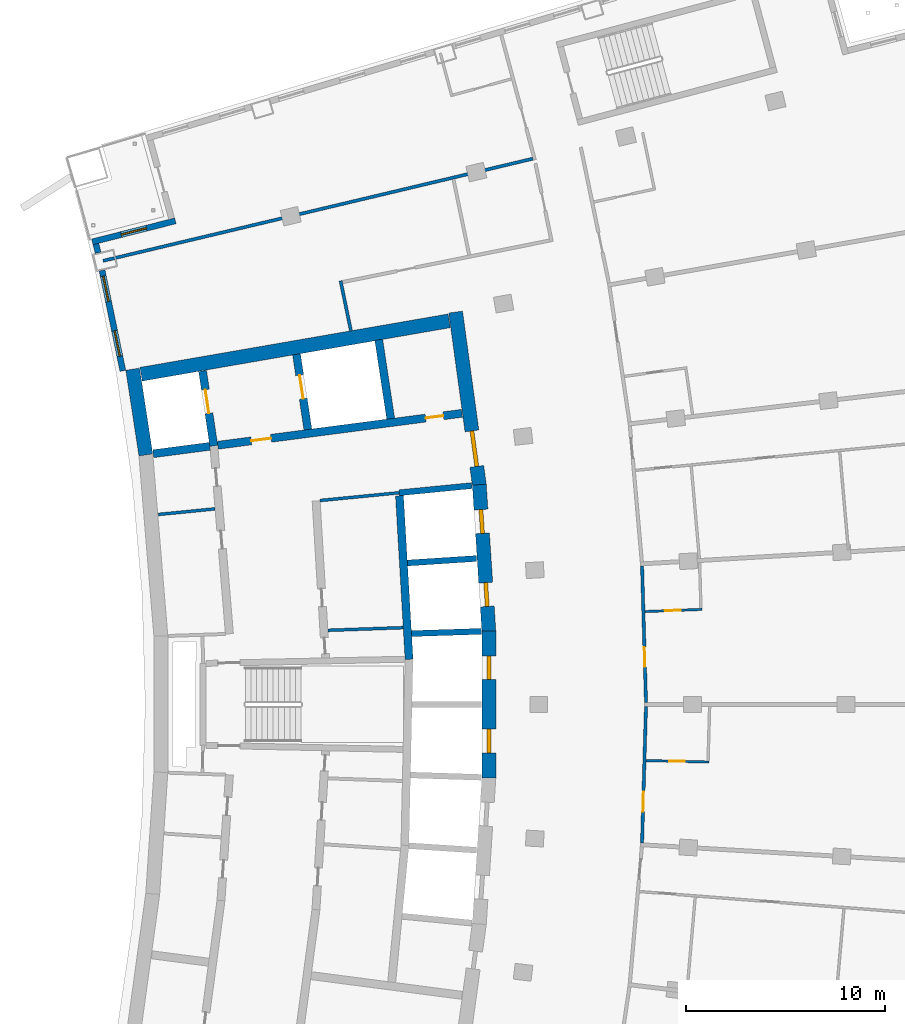
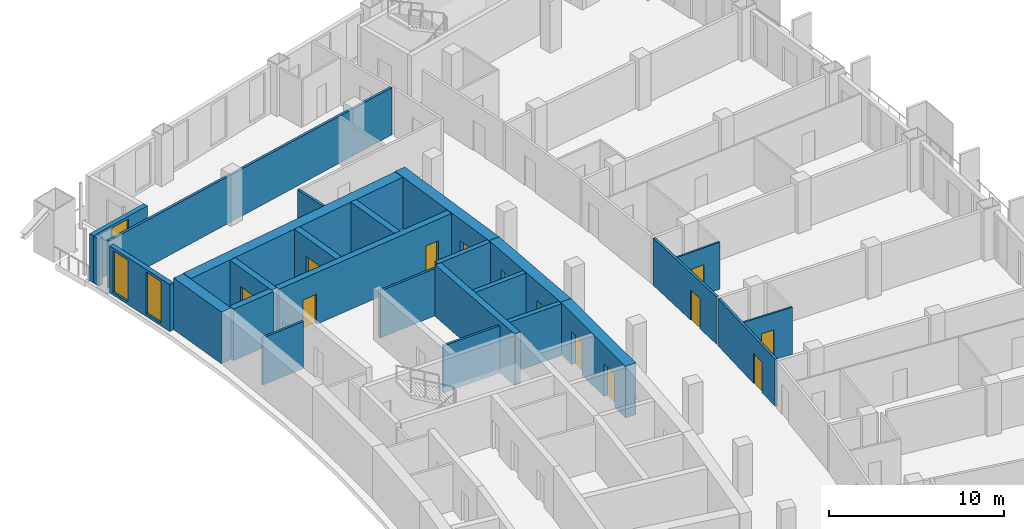
# One storey, part 13 of 19: 26 walls, 13 doors, 3 windows, 16 openings.
"""IFC4 building model written with IfcOpenShell, lengths in metres."""

from ifc_helpers import new_model, si_unit, direction, frame, frame_2d, origin, place, context, subcontext, project, spatial, rectangle, extrude, material, layer, layer_set, type_object, element, fill, save


model = new_model("IFC4")

# Units and contexts
model_context = context("Model", 3, precision=1e-05, world=origin(), true_north=direction((0.0, 1.0)))
body_context = subcontext(model_context, "Body", "Model", "MODEL_VIEW")
ifc_project = project(units=[si_unit("LENGTHUNIT", "METRE"), si_unit("AREAUNIT", "SQUARE_METRE"), si_unit("VOLUMEUNIT", "CUBIC_METRE"), si_unit("PLANEANGLEUNIT", "RADIAN"), si_unit("MASSUNIT", "GRAM", prefix="KILO")], contexts=[model_context])

# Site, building, storey
site_placement = place(None, origin())
site = spatial("IfcSite", under=ifc_project, at=site_placement, CompositionType="ELEMENT")
building_placement = place(site_placement, origin())
building = spatial("IfcBuilding", under=site, at=building_placement, Name="Alderwake Tower", CompositionType="ELEMENT")
storey_placement = place(building_placement, frame((0.0, 0.0, 174.800048828125)))
storey = spatial("IfcBuildingStorey", under=building, at=storey_placement, Name="L43", CompositionType="ELEMENT", Elevation=174.800048828125)

# Walls
ifc_material_1 = material(Name="Gypsum shaft wall system, rated")
ifc_layer_1 = layer(ifc_material_1, 0.14990234375)
ifc_layer_set_1 = layer_set([ifc_layer_1], Name="Core riser partition 150")
wall_type_1 = type_object("IfcWallType", Name="Core riser partition 150", PredefinedType="PARTITIONING", material=ifc_layer_set_1)
wall_1_placement = place(storey_placement, frame((25.191162109375, 64.723388671875, 0.0), z_axis=(0.0, 0.0, 1.0), x_axis=(0.999373627871, 0.035388584556, 0.0)))
element("IfcWall", 1, at=wall_1_placement, inside=storey, type_object=wall_type_1, Name="CW/L43/PR+37_+86", PredefinedType="PARTITIONING", context=body_context, shape_type="SweptSolid", body=[
    extrude(rectangle(XDim=3.79443359375, YDim=0.14990234375, at=frame_2d((1.897216796875, 0.0))), origin(), (0.0, 0.0, 1.0), 3.280029296875),
])
ifc_material_2 = material(Name="Gypsum shaft wall system, rated")
ifc_layer_2 = layer(ifc_material_2, 0.14990234375)
ifc_layer_set_2 = layer_set([ifc_layer_2], Name="Core room partition 150")
wall_type_2 = type_object("IfcWallType", Name="Core room partition 150", PredefinedType="PARTITIONING", material=ifc_layer_set_2)
wall_2_placement = place(storey_placement, frame((24.799560546875, 71.2548828125, 0.0), z_axis=(0.0, 0.0, 1.0), x_axis=(0.995250000627, 0.097352125046, 0.0)))
element("IfcWall", 2, at=wall_2_placement, inside=storey, type_object=wall_type_2, Name="CW/L43/PR+102_+86", PredefinedType="PARTITIONING", context=body_context, shape_type="SweptSolid", body=[
    extrude(rectangle(XDim=4.0, YDim=0.14990234375, at=frame_2d((2.0, 0.0))), origin(), (0.0, 0.0, 1.0), 3.280029296875),
])
wall_3_placement = place(storey_placement, frame((16.662841796875, 70.552001953125, 0.0), z_axis=(0.0, 0.0, 1.0), x_axis=(0.995157883569, 0.098289301407, 0.0)))
element("IfcWall", 3, at=wall_3_placement, inside=storey, type_object=wall_type_2, Name="CW/L43/PR+103_+0", PredefinedType="PARTITIONING", context=body_context, shape_type="SweptSolid", body=[
    extrude(rectangle(XDim=2.866455078125, YDim=0.14990234375, at=frame_2d((1.43310546875, 0.0))), origin(), (0.0, 0.0, 1.0), 3.280029296875),
])
ifc_material_3 = material(Name="Concrete C70/85", Category="concrete")
ifc_layer_3 = layer(ifc_material_3, 0.699951171875)
ifc_layer_set_3 = layer_set([ifc_layer_3], Name="Core wall outer 700 C70-85")
wall_type_3 = type_object("IfcWallType", Name="Core wall outer 700 C70-85", PredefinedType="SHEAR", material=ifc_layer_set_3)
wall_4_placement = place(storey_placement, frame((16.033935546875, 73.547607421875, 0.0), z_axis=(0.0, 0.0, 1.0), x_axis=(-0.151897483467, 0.988396253795, 0.0)))
element("IfcWall", 4, at=wall_4_placement, inside=storey, type_object=wall_type_3, Name="Core wall CW.039", PredefinedType="SHEAR", context=body_context, shape_type="SweptSolid", body=[
    extrude(rectangle(XDim=4.365234375, YDim=0.699951171875, at=frame_2d((2.1826171875, 0.0))), origin(), (0.0, 0.0, 1.0), 3.599853515625),
])

# Wall, openings, doors
wall_5_placement = place(storey_placement, frame((33.2900390625, 57.30322265625, 0.0), z_axis=(0.0, 0.0, 1.0), x_axis=(0.0, 1.0, 0.0)))
wall_5 = element("IfcWall", 5, at=wall_5_placement, inside=storey, type_object=wall_type_3, Name="Core wall CW.013", PredefinedType="SHEAR", context=body_context, shape_type="SweptSolid", body=[
    extrude(rectangle(XDim=7.3935546875, YDim=0.699951171875, at=frame_2d((3.69677734375, 0.0))), origin(), (0.0, 0.0, 1.0), 3.599853515625),
])
opening_1_placement = place(wall_5_placement, frame((1.254150390625, 0.0, 0.0)))
opening_1 = element("IfcOpeningElement", 6, at=opening_1_placement, cuts=wall_5, Name="Opening LD-HP3", PredefinedType="OPENING", context=body_context, shape_type="SweptSolid", body=[
    extrude(rectangle(XDim=1.199951171875, YDim=2.300048828125, at=frame_2d((0.60009765625, 1.14990234375))), frame((0.0, 0.35986328125, 0.0), z_axis=(0.0, -1.0, 0.0), x_axis=(1.0, 0.0, 0.0)), (0.0, 0.0, 1.0), 0.719970703125),
])
opening_2_placement = place(wall_5_placement, frame((4.939208984375, 0.0, 0.0)))
opening_2 = element("IfcOpeningElement", 7, at=opening_2_placement, cuts=wall_5, Name="Opening LD-HP4", PredefinedType="OPENING", context=body_context, shape_type="SweptSolid", body=[
    extrude(rectangle(XDim=1.199951171875, YDim=2.300048828125, at=frame_2d((0.60009765625, 1.14990234375))), frame((0.0, 0.35986328125, 0.0), z_axis=(0.0, -1.0, 0.0), x_axis=(1.0, 0.0, 0.0)), (0.0, 0.0, 1.0), 0.719970703125),
])
ifc_material_4 = material(Name="Stainless steel sliding leaf", Category="steel")
door_type_1 = type_object("IfcDoorType", Name="Lift landing door 1200", OperationType="SLIDING_TO_LEFT", PredefinedType="DOOR", material=ifc_material_4)
door_1_placement = place(opening_1_placement, origin())
door_1 = element("IfcDoor", 8, at=door_1_placement, inside=storey, type_object=door_type_1, Name="Lift landing door HP3", OperationType="SLIDING_TO_LEFT", OverallHeight=2.300048828125, OverallWidth=1.199951171875, PredefinedType="DOOR", context=body_context, shape_type="SweptSolid", body=[
    extrude(rectangle(XDim=1.199951171875, YDim=2.300048828125, at=frame_2d((0.60009765625, 1.14990234375))), frame((0.0, 0.10009765625, 0.0), z_axis=(0.0, -1.0, 0.0), x_axis=(1.0, 0.0, 0.0)), (0.0, 0.0, 1.0), 0.199951171875),
])
fill(opening_1, door_1)
door_2_placement = place(opening_2_placement, origin())
door_2 = element("IfcDoor", 9, at=door_2_placement, inside=storey, type_object=door_type_1, Name="Lift landing door HP4", OperationType="SLIDING_TO_LEFT", OverallHeight=2.300048828125, OverallWidth=1.199951171875, PredefinedType="DOOR", context=body_context, shape_type="SweptSolid", body=[
    extrude(rectangle(XDim=1.199951171875, YDim=2.300048828125, at=frame_2d((0.60009765625, 1.14990234375))), frame((0.0, 0.10009765625, 0.0), z_axis=(0.0, -1.0, 0.0), x_axis=(1.0, 0.0, 0.0)), (0.0, 0.0, 1.0), 0.199951171875),
])
fill(opening_2, door_2)

wall_6_placement = place(storey_placement, frame((33.291015625, 64.6728515625, 0.0), z_axis=(0.0, 0.0, 1.0), x_axis=(-0.065009096017, 0.99788467141, 0.0)))
wall_6 = element("IfcWall", 10, at=wall_6_placement, inside=storey, type_object=wall_type_3, Name="Core wall CW.010", PredefinedType="SHEAR", context=body_context, shape_type="SweptSolid", body=[
    extrude(rectangle(XDim=7.39453125, YDim=0.699951171875, at=frame_2d((3.697265625, 0.0))), origin(), (0.0, 0.0, 1.0), 3.599853515625),
])
opening_3_placement = place(wall_6_placement, frame((1.25390625, 0.0, 0.0)))
opening_3 = element("IfcOpeningElement", 11, at=opening_3_placement, cuts=wall_6, Name="Opening LD-HP5", PredefinedType="OPENING", context=body_context, shape_type="SweptSolid", body=[
    extrude(rectangle(XDim=1.199951171875, YDim=2.300048828125, at=frame_2d((0.60009765625, 1.14990234375))), frame((0.0, 0.35986328125, 0.0), z_axis=(0.0, -1.0, 0.0), x_axis=(1.0, 0.0, 0.0)), (0.0, 0.0, 1.0), 0.719970703125),
])
opening_4_placement = place(wall_6_placement, frame((4.939208984375, 0.0, 0.0)))
opening_4 = element("IfcOpeningElement", 12, at=opening_4_placement, cuts=wall_6, Name="Opening LD-HP6", PredefinedType="OPENING", context=body_context, shape_type="SweptSolid", body=[
    extrude(rectangle(XDim=1.199951171875, YDim=2.300048828125, at=frame_2d((0.60009765625, 1.14990234375))), frame((0.0, 0.35986328125, 0.0), z_axis=(0.0, -1.0, 0.0), x_axis=(1.0, 0.0, 0.0)), (0.0, 0.0, 1.0), 0.719970703125),
])
door_3_placement = place(opening_3_placement, origin())
door_3 = element("IfcDoor", 13, at=door_3_placement, inside=storey, type_object=door_type_1, Name="Lift landing door HP5", OperationType="SLIDING_TO_LEFT", OverallHeight=2.300048828125, OverallWidth=1.199951171875, PredefinedType="DOOR", context=body_context, shape_type="SweptSolid", body=[
    extrude(rectangle(XDim=1.199951171875, YDim=2.300048828125, at=frame_2d((0.60009765625, 1.14990234375))), frame((0.0, 0.10009765625, 0.0), z_axis=(0.0, -1.0, 0.0), x_axis=(1.0, 0.0, 0.0)), (0.0, 0.0, 1.0), 0.199951171875),
])
fill(opening_3, door_3)
door_4_placement = place(opening_4_placement, origin())
door_4 = element("IfcDoor", 14, at=door_4_placement, inside=storey, type_object=door_type_1, Name="Lift landing door HP6", OperationType="SLIDING_TO_LEFT", OverallHeight=2.300048828125, OverallWidth=1.199951171875, PredefinedType="DOOR", context=body_context, shape_type="SweptSolid", body=[
    extrude(rectangle(XDim=1.199951171875, YDim=2.300048828125, at=frame_2d((0.60009765625, 1.14990234375))), frame((0.0, 0.10009765625, 0.0), z_axis=(0.0, -1.0, 0.0), x_axis=(1.0, 0.0, 0.0)), (0.0, 0.0, 1.0), 0.199951171875),
])
fill(opening_4, door_4)

# Wall, opening, door
wall_7_placement = place(storey_placement, frame((31.618896484375, 80.735107421875, 0.0), z_axis=(0.0, 0.0, 1.0), x_axis=(0.135835706655, -0.99073137671, 0.0)))
wall_7 = element("IfcWall", 15, at=wall_7_placement, inside=storey, type_object=wall_type_3, Name="Core wall CW.009", PredefinedType="SHEAR", context=body_context, shape_type="SweptSolid", body=[
    extrude(rectangle(XDim=8.790771484375, YDim=0.699951171875, at=frame_2d((4.3955078125, 0.0))), origin(), (0.0, 0.0, 1.0), 3.599853515625),
])
opening_5_placement = place(wall_7_placement, frame((6.035888671875, 0.0, 0.0)))
opening_5 = element("IfcOpeningElement", 16, at=opening_5_placement, cuts=wall_7, Name="Opening C001", PredefinedType="OPENING", context=body_context, shape_type="SweptSolid", body=[
    extrude(rectangle(XDim=1.800048828125, YDim=2.10009765625, at=frame_2d((0.89990234375, 1.050048828125))), frame((0.0, 0.35986328125, 0.0), z_axis=(0.0, -1.0, 0.0), x_axis=(1.0, 0.0, 0.0)), (0.0, 0.0, 1.0), 0.719970703125),
])
ifc_material_5 = material(Name="Steel-framed fire door leaves", Category="steel")
door_type_2 = type_object("IfcDoorType", Name="Core double door 1800 fire-rated", OperationType="DOUBLE_DOOR_SINGLE_SWING", PredefinedType="DOOR", material=ifc_material_5)
door_5_placement = place(opening_5_placement, origin())
door_5 = element("IfcDoor", 17, at=door_5_placement, inside=storey, type_object=door_type_2, Name="Lobby double door", OperationType="DOUBLE_DOOR_SINGLE_SWING", OverallHeight=2.10009765625, OverallWidth=1.800048828125, PredefinedType="DOOR", context=body_context, shape_type="SweptSolid", body=[
    extrude(rectangle(XDim=1.800048828125, YDim=2.10009765625, at=frame_2d((0.89990234375, 1.050048828125))), frame((0.0, 0.10009765625, 0.0), z_axis=(0.0, -1.0, 0.0), x_axis=(1.0, 0.0, 0.0)), (0.0, 0.0, 1.0), 0.199951171875),
])
fill(opening_5, door_5)

# Walls
wall_8_placement = place(storey_placement, frame((15.79443359375, 77.606689453125, 0.0), z_axis=(0.0, 0.0, 1.0), x_axis=(0.985301369349, 0.170825090542, 0.0)))
element("IfcWall", 18, at=wall_8_placement, inside=storey, type_object=wall_type_3, Name="Core wall CW.055", PredefinedType="SHEAR", context=body_context, shape_type="SweptSolid", body=[
    extrude(rectangle(XDim=15.732421875, YDim=0.699951171875, at=frame_2d((7.8662109375, 0.0))), origin(), (0.0, 0.0, 1.0), 3.599853515625),
])
ifc_material_6 = material(Name="Concrete C70/85", Category="concrete")
ifc_layer_4 = layer(ifc_material_6, 0.300048828125)
ifc_layer_set_4 = layer_set([ifc_layer_4], Name="Core wall shaft 300 C70-85")
wall_type_4 = type_object("IfcWallType", Name="Core wall shaft 300 C70-85", PredefinedType="SHEAR", material=ifc_layer_set_4)
wall_9_placement = place(storey_placement, frame((29.401611328125, 64.558349609375, 0.0), z_axis=(0.0, 0.0, 1.0), x_axis=(0.999472422829, 0.032478854739, 0.0)))
element("IfcWall", 19, at=wall_9_placement, inside=storey, type_object=wall_type_4, Name="Core wall CW.058", PredefinedType="SHEAR", context=body_context, shape_type="SweptSolid", body=[
    extrude(rectangle(XDim=3.510498046875, YDim=0.300048828125, at=frame_2d((1.75537109375, 0.0))), origin(), (0.0, 0.0, 1.0), 3.599853515625),
])
wall_10_placement = place(storey_placement, frame((29.193603515625, 68.110595703125, 0.0), z_axis=(0.0, 0.0, 1.0), x_axis=(0.997884751549, 0.065007865878, 0.0)))
element("IfcWall", 20, at=wall_10_placement, inside=storey, type_object=wall_type_4, Name="Core wall CW.061", PredefinedType="SHEAR", context=body_context, shape_type="SweptSolid", body=[
    extrude(rectangle(XDim=3.485107421875, YDim=0.300048828125, at=frame_2d((1.74267578125, 0.0))), origin(), (0.0, 0.0, 1.0), 3.599853515625),
])
wall_11_placement = place(storey_placement, frame((28.780517578125, 71.644287109375, 0.0), z_axis=(0.0, 0.0, 1.0), x_axis=(0.995245736737, 0.097395705788, 0.0)))
element("IfcWall", 21, at=wall_11_placement, inside=storey, type_object=wall_type_4, Name="Core wall CW.049", PredefinedType="SHEAR", context=body_context, shape_type="SweptSolid", body=[
    extrude(rectangle(XDim=3.669677734375, YDim=0.300048828125, at=frame_2d((1.8349609375, 0.0))), origin(), (0.0, 0.0, 1.0), 3.599853515625),
])

# Wall, opening, door
ifc_material_7 = material(Name="Concrete C70/85", Category="concrete")
ifc_layer_5 = layer(ifc_material_7, 0.39990234375)
ifc_layer_set_5 = layer_set([ifc_layer_5], Name="Core wall spine 400 C70-85")
wall_type_5 = type_object("IfcWallType", Name="Core wall spine 400 C70-85", PredefinedType="SHEAR", material=ifc_layer_set_5)
wall_12_placement = place(storey_placement, frame((19.4541015625, 74.000732421875, 0.0), z_axis=(0.0, 0.0, 1.0), x_axis=(-0.148540738889, 0.988906289236, 0.0)))
wall_12 = element("IfcWall", 22, at=wall_12_placement, inside=storey, type_object=wall_type_5, Name="Core wall CW.030", PredefinedType="SHEAR", context=body_context, shape_type="SweptSolid", body=[
    extrude(rectangle(XDim=3.814697265625, YDim=0.39990234375, at=frame_2d((1.9072265625, 0.0))), origin(), (0.0, 0.0, 1.0), 3.599853515625),
])
opening_6_placement = place(wall_12_placement, frame((1.660888671875, 0.0, 0.0)))
opening_6 = element("IfcOpeningElement", 23, at=opening_6_placement, cuts=wall_12, Name="Opening LD-FF1", PredefinedType="OPENING", context=body_context, shape_type="SweptSolid", body=[
    extrude(rectangle(XDim=1.199951171875, YDim=2.300048828125, at=frame_2d((0.60009765625, 1.14990234375))), frame((0.0, 0.2099609375, 0.0), z_axis=(0.0, -1.0, 0.0), x_axis=(1.0, 0.0, 0.0)), (0.0, 0.0, 1.0), 0.419921875),
])
door_6_placement = place(opening_6_placement, origin())
door_6 = element("IfcDoor", 24, at=door_6_placement, inside=storey, type_object=door_type_1, Name="Lift landing door FF1", OperationType="SLIDING_TO_LEFT", OverallHeight=2.300048828125, OverallWidth=1.199951171875, PredefinedType="DOOR", context=body_context, shape_type="SweptSolid", body=[
    extrude(rectangle(XDim=1.199951171875, YDim=2.300048828125, at=frame_2d((0.60009765625, 1.14990234375))), frame((0.0, 0.02490234375, 0.0), z_axis=(0.0, -1.0, 0.0), x_axis=(1.0, 0.0, 0.0)), (0.0, 0.0, 1.0), 0.050048828125),
])
fill(opening_6, door_6)

wall_13_placement = place(storey_placement, frame((24.186279296875, 74.82861328125, 0.0), z_axis=(0.0, 0.0, 1.0), x_axis=(-0.149604879253, 0.988745862243, 0.0)))
wall_13 = element("IfcWall", 25, at=wall_13_placement, inside=storey, type_object=wall_type_5, Name="Core wall CW.044", PredefinedType="SHEAR", context=body_context, shape_type="SweptSolid", body=[
    extrude(rectangle(XDim=3.823486328125, YDim=0.39990234375, at=frame_2d((1.91162109375, 0.0))), origin(), (0.0, 0.0, 1.0), 3.599853515625),
])
opening_7_placement = place(wall_13_placement, frame((1.561767578125, 0.0, 0.0)))
opening_7 = element("IfcOpeningElement", 26, at=opening_7_placement, cuts=wall_13, Name="Opening LD-FF2", PredefinedType="OPENING", context=body_context, shape_type="SweptSolid", body=[
    extrude(rectangle(XDim=1.199951171875, YDim=2.300048828125, at=frame_2d((0.60009765625, 1.14990234375))), frame((0.0, 0.2099609375, 0.0), z_axis=(0.0, -1.0, 0.0), x_axis=(1.0, 0.0, 0.0)), (0.0, 0.0, 1.0), 0.419921875),
])
door_7_placement = place(opening_7_placement, origin())
door_7 = element("IfcDoor", 27, at=door_7_placement, inside=storey, type_object=door_type_1, Name="Lift landing door FF2", OperationType="SLIDING_TO_LEFT", OverallHeight=2.300048828125, OverallWidth=1.199951171875, PredefinedType="DOOR", context=body_context, shape_type="SweptSolid", body=[
    extrude(rectangle(XDim=1.199951171875, YDim=2.300048828125, at=frame_2d((0.60009765625, 1.14990234375))), frame((0.0, 0.02490234375, 0.0), z_axis=(0.0, -1.0, 0.0), x_axis=(1.0, 0.0, 0.0)), (0.0, 0.0, 1.0), 0.050048828125),
])
fill(opening_7, door_7)

# Walls
wall_14_placement = place(storey_placement, frame((29.27685546875, 63.2646484375, 0.0), z_axis=(0.0, 0.0, 1.0), x_axis=(-0.0584546922, 0.998290062537, 0.0)))
element("IfcWall", 28, at=wall_14_placement, inside=storey, type_object=wall_type_5, Name="Core wall CW.002", PredefinedType="SHEAR", context=body_context, shape_type="SweptSolid", body=[
    extrude(rectangle(XDim=8.24462890625, YDim=0.39990234375, at=frame_2d((4.122314453125, 0.0))), origin(), (0.0, 0.0, 1.0), 3.599853515625),
])
wall_15_placement = place(storey_placement, frame((28.350830078125, 75.373291015625, 0.0), z_axis=(0.0, 0.0, 1.0), x_axis=(-0.149688214264, 0.988733249421, 0.0)))
element("IfcWall", 29, at=wall_15_placement, inside=storey, type_object=wall_type_5, Name="Core wall CW.001", PredefinedType="SHEAR", context=body_context, shape_type="SweptSolid", body=[
    extrude(rectangle(XDim=4.01220703125, YDim=0.39990234375, at=frame_2d((2.006103515625, 0.0))), origin(), (0.0, 0.0, 1.0), 3.599853515625),
])
wall_16_placement = place(storey_placement, frame((16.4091796875, 73.609619140625, 0.0), z_axis=(0.0, 0.0, 1.0), x_axis=(0.991557657486, 0.129666541102, 0.0)))
element("IfcWall", 30, at=wall_16_placement, inside=storey, type_object=wall_type_5, Name="Core wall CW.051", PredefinedType="SHEAR", context=body_context, shape_type="SweptSolid", body=[
    extrude(rectangle(XDim=2.869384765625, YDim=0.39990234375, at=frame_2d((1.4345703125, 0.0))), origin(), (0.0, 0.0, 1.0), 3.599853515625),
])

# Wall, openings, doors
wall_17_placement = place(storey_placement, frame((31.933837890625, 75.64013671875, 0.0), z_axis=(0.0, 0.0, 1.0), x_axis=(-0.991554628634, -0.129689700573, 0.0)))
wall_17 = element("IfcWall", 31, at=wall_17_placement, inside=storey, type_object=wall_type_5, Name="Core wall CW.052", PredefinedType="SHEAR", context=body_context, shape_type="SweptSolid", body=[
    extrude(rectangle(XDim=12.38671875, YDim=0.39990234375, at=frame_2d((6.193359375, 0.0))), origin(), (0.0, 0.0, 1.0), 3.599853515625),
])
opening_8_placement = place(wall_17_placement, frame((9.687255859375, 0.0, 0.0)))
opening_8 = element("IfcOpeningElement", 32, at=opening_8_placement, cuts=wall_17, Name="Opening C002", PredefinedType="OPENING", context=body_context, shape_type="SweptSolid", body=[
    extrude(rectangle(XDim=1.0, YDim=2.10009765625, at=frame_2d((0.5, 1.050048828125))), frame((0.0, 0.2099609375, 0.0), z_axis=(0.0, -1.0, 0.0), x_axis=(1.0, 0.0, 0.0)), (0.0, 0.0, 1.0), 0.419921875),
])
opening_9_placement = place(wall_17_placement, frame((0.937255859375, 0.0, 0.0)))
opening_9 = element("IfcOpeningElement", 33, at=opening_9_placement, cuts=wall_17, Name="Opening C020", PredefinedType="OPENING", context=body_context, shape_type="SweptSolid", body=[
    extrude(rectangle(XDim=0.89990234375, YDim=2.10009765625, at=frame_2d((0.449951171875, 1.050048828125))), frame((0.0, 0.2099609375, 0.0), z_axis=(0.0, -1.0, 0.0), x_axis=(1.0, 0.0, 0.0)), (0.0, 0.0, 1.0), 0.419921875),
])
ifc_material_8 = material(Name="Painted steel leaf", Category="steel")
door_type_3 = type_object("IfcDoorType", Name="Core room door 900", OperationType="SINGLE_SWING_LEFT", PredefinedType="DOOR", material=ifc_material_8)
door_8_placement = place(opening_9_placement, origin())
door_8 = element("IfcDoor", 34, at=door_8_placement, inside=storey, type_object=door_type_3, Name="Room door", OperationType="SINGLE_SWING_LEFT", OverallHeight=2.10009765625, OverallWidth=0.89990234375, PredefinedType="DOOR", context=body_context, shape_type="SweptSolid", body=[
    extrude(rectangle(XDim=0.89990234375, YDim=2.10009765625, at=frame_2d((0.449951171875, 1.050048828125))), frame((0.0, 0.02490234375, 0.0), z_axis=(0.0, -1.0, 0.0), x_axis=(1.0, 0.0, 0.0)), (0.0, 0.0, 1.0), 0.050048828125),
])
fill(opening_9, door_8)
ifc_material_9 = material(Name="Steel-framed fire door leaf", Category="steel")
door_type_4 = type_object("IfcDoorType", Name="Firefighting lobby door 1000 fire-rated", OperationType="SINGLE_SWING_LEFT", PredefinedType="DOOR", material=ifc_material_9)
door_9_placement = place(opening_8_placement, origin())
door_9 = element("IfcDoor", 35, at=door_9_placement, inside=storey, type_object=door_type_4, Name="Firefighting lobby door", OperationType="SINGLE_SWING_RIGHT", OverallHeight=2.10009765625, OverallWidth=1.0, PredefinedType="DOOR", context=body_context, shape_type="SweptSolid", body=[
    extrude(rectangle(XDim=1.0, YDim=2.10009765625, at=frame_2d((0.5, 1.050048828125))), frame((0.0, 0.02490234375, 0.0), z_axis=(0.0, -1.0, 0.0), x_axis=(1.0, 0.0, 0.0)), (0.0, 0.0, 1.0), 0.050048828125),
])
fill(opening_8, door_9)

# Walls
ifc_material_10 = material(Name="Gypsum board on metal studs, rated")
ifc_layer_6 = layer(ifc_material_10, 0.159912109375)
ifc_layer_set_6 = layer_set([ifc_layer_6], Name="Corridor wall 160")
wall_type_6 = type_object("IfcWallType", Name="Corridor wall 160", PredefinedType="PARTITIONING", material=ifc_layer_set_6)
wall_18_placement = place(storey_placement, frame((25.831787109375, 82.305419921875, 0.0), z_axis=(0.0, 0.0, 1.0), x_axis=(0.202450797205, -0.979292435747, 0.0)))
element("IfcWall", 36, at=wall_18_placement, inside=storey, type_object=wall_type_6, Name="WL/L43/W16", PredefinedType="PARTITIONING", context=body_context, shape_type="SweptSolid", body=[
    extrude(rectangle(XDim=2.555419921875, YDim=0.159912109375, at=frame_2d((1.27783203125, 0.0))), origin(), (0.0, 0.0, 1.0), 3.280029296875),
])
wall_19_placement = place(storey_placement, frame((35.502197265625, 88.451416015625, 0.0), z_axis=(0.0, 0.0, 1.0), x_axis=(-0.972894913244, -0.231247676278, 0.0)))
element("IfcWall", 37, at=wall_19_placement, inside=storey, type_object=wall_type_6, Name="WL/L43/W21", PredefinedType="PARTITIONING", context=body_context, shape_type="SweptSolid", body=[
    extrude(rectangle(XDim=22.220458984375, YDim=0.159912109375, at=frame_2d((11.1103515625, 0.0))), origin(), (0.0, 0.0, 1.0), 3.280029296875),
])

# Wall, opening, door
wall_20_placement = place(storey_placement, frame((41.196044921875, 60.89892578125, 0.0), z_axis=(0.0, 0.0, 1.0), x_axis=(-0.028865238788, -0.99958331218, 0.0)))
wall_20 = element("IfcWall", 38, at=wall_20_placement, inside=storey, type_object=wall_type_6, Name="WL/L43/W30", PredefinedType="PARTITIONING", context=body_context, shape_type="SweptSolid", body=[
    extrude(rectangle(XDim=6.867919921875, YDim=0.159912109375, at=frame_2d((3.43408203125, 0.0))), origin(), (0.0, 0.0, 1.0), 3.280029296875),
])
opening_10_placement = place(wall_20_placement, frame((4.297119140625, 0.0, 0.0)))
opening_10 = element("IfcOpeningElement", 39, at=opening_10_placement, cuts=wall_20, Name="Opening R12-U05.1", PredefinedType="OPENING", context=body_context, shape_type="SweptSolid", body=[
    extrude(rectangle(XDim=1.0, YDim=2.10009765625, at=frame_2d((0.5, 1.050048828125))), frame((0.0, 0.08984375, 0.0), z_axis=(0.0, -1.0, 0.0), x_axis=(1.0, 0.0, 0.0)), (0.0, 0.0, 1.0), 0.179931640625),
])
ifc_material_11 = material(Name="Solid timber leaf in steel frame", Category="steel")
door_type_5 = type_object("IfcDoorType", Name="Flat entrance door 1000 fire-rated", OperationType="SINGLE_SWING_LEFT", PredefinedType="DOOR", material=ifc_material_11)
door_10_placement = place(opening_10_placement, origin())
door_10 = element("IfcDoor", 40, at=door_10_placement, inside=storey, type_object=door_type_5, Name="DR/L43/U05.1", OperationType="SINGLE_SWING_LEFT", OverallHeight=2.10009765625, OverallWidth=1.0, PredefinedType="DOOR", context=body_context, shape_type="SweptSolid", body=[
    extrude(rectangle(XDim=1.0, YDim=2.10009765625, at=frame_2d((0.5, 1.050048828125))), frame((0.0, 0.02490234375, 0.0), z_axis=(0.0, -1.0, 0.0), x_axis=(1.0, 0.0, 0.0)), (0.0, 0.0, 1.0), 0.050048828125),
])
fill(opening_10, door_10)

wall_21_placement = place(storey_placement, frame((40.997802734375, 67.967041015625, 0.0), z_axis=(0.0, 0.0, 1.0), x_axis=(0.028852935833, -0.99958366738, 0.0)))
wall_21 = element("IfcWall", 41, at=wall_21_placement, inside=storey, type_object=wall_type_6, Name="WL/L43/W32", PredefinedType="PARTITIONING", context=body_context, shape_type="SweptSolid", body=[
    extrude(rectangle(XDim=6.870849609375, YDim=0.159912109375, at=frame_2d((3.435546875, 0.0))), origin(), (0.0, 0.0, 1.0), 3.280029296875),
])
opening_11_placement = place(wall_21_placement, frame((4.087646484375, 0.0, 0.0)))
opening_11 = element("IfcOpeningElement", 42, at=opening_11_placement, cuts=wall_21, Name="Opening R12-U06.1", PredefinedType="OPENING", context=body_context, shape_type="SweptSolid", body=[
    extrude(rectangle(XDim=1.0, YDim=2.10009765625, at=frame_2d((0.5, 1.050048828125))), frame((0.0, 0.08984375, 0.0), z_axis=(0.0, -1.0, 0.0), x_axis=(1.0, 0.0, 0.0)), (0.0, 0.0, 1.0), 0.179931640625),
])
door_11_placement = place(opening_11_placement, origin())
door_11 = element("IfcDoor", 43, at=door_11_placement, inside=storey, type_object=door_type_5, Name="DR/L43/U06.1", OperationType="SINGLE_SWING_LEFT", OverallHeight=2.10009765625, OverallWidth=1.0, PredefinedType="DOOR", context=body_context, shape_type="SweptSolid", body=[
    extrude(rectangle(XDim=1.0, YDim=2.10009765625, at=frame_2d((0.5, 1.050048828125))), frame((0.0, 0.02490234375, 0.0), z_axis=(0.0, -1.0, 0.0), x_axis=(1.0, 0.0, 0.0)), (0.0, 0.0, 1.0), 0.050048828125),
])
fill(opening_11, door_11)

# Wall
ifc_material_12 = material(Name="Precast concrete C50/60 spandrel panel", Category="concrete")
ifc_layer_7 = layer(ifc_material_12, 0.300048828125)
ifc_layer_set_7 = layer_set([ifc_layer_7], Name="External wall EW1 Precast concrete C50/60 spandrel")
wall_type_7 = type_object("IfcWallType", Name="External wall EW1 Precast concrete C50/60 spandrel", PredefinedType="SOLIDWALL", material=ifc_layer_set_7)
wall_22_placement = place(storey_placement, frame((13.523193359375, 84.1572265625, 0.0), z_axis=(0.0, 0.0, 1.0), x_axis=(0.238729806706, -0.97108603089, 0.0)))
element("IfcWall", 44, at=wall_22_placement, inside=storey, type_object=wall_type_7, Name="External wall 30", PredefinedType="SOLIDWALL", context=body_context, shape_type="SweptSolid", body=[
    extrude(rectangle(XDim=0.453125, YDim=0.300048828125, at=frame_2d((0.2265625, 0.0))), origin(), (0.0, 0.0, 1.0), 3.280029296875),
])

# Wall, openings, windows
wall_23_placement = place(storey_placement, frame((13.83203125, 82.8291015625, 0.0), z_axis=(0.0, 0.0, 1.0), x_axis=(0.202754243564, -0.979229654737, 0.0)))
wall_23 = element("IfcWall", 45, at=wall_23_placement, inside=storey, type_object=wall_type_7, Name="External wall 31", PredefinedType="SOLIDWALL", context=body_context, shape_type="SweptSolid", body=[
    extrude(rectangle(XDim=5.15966796875, YDim=0.300048828125, at=frame_2d((2.579833984375, 0.0))), origin(), (0.0, 0.0, 1.0), 3.280029296875),
])
opening_12_placement = place(wall_23_placement, frame((0.29052734375, 0.0, 0.199951171875)))
opening_12 = element("IfcOpeningElement", 46, at=opening_12_placement, cuts=wall_23, Name="Opening W1", PredefinedType="OPENING", context=body_context, shape_type="SweptSolid", body=[
    extrude(rectangle(XDim=1.300048828125, YDim=2.89990234375, at=frame_2d((0.64990234375, 1.449951171875))), frame((0.0, 0.159912109375, 0.0), z_axis=(0.0, -1.0, 0.0), x_axis=(1.0, 0.0, 0.0)), (0.0, 0.0, 1.0), 0.320068359375),
])
opening_13_placement = place(wall_23_placement, frame((3.103271484375, 0.0, 0.199951171875)))
opening_13 = element("IfcOpeningElement", 47, at=opening_13_placement, cuts=wall_23, Name="Opening W1", PredefinedType="OPENING", context=body_context, shape_type="SweptSolid", body=[
    extrude(rectangle(XDim=1.300048828125, YDim=2.89990234375, at=frame_2d((0.64990234375, 1.449951171875))), frame((0.0, 0.159912109375, 0.0), z_axis=(0.0, -1.0, 0.0), x_axis=(1.0, 0.0, 0.0)), (0.0, 0.0, 1.0), 0.320068359375),
])
ifc_material_13 = material(Name="Bronze tinted glass in aluminium frame", Category="aluminium")
window_type = type_object("IfcWindowType", Name="Window W1 tall fixed and vent", PartitioningType="DOUBLE_PANEL_VERTICAL", PredefinedType="WINDOW", material=ifc_material_13)
window_1_placement = place(opening_12_placement, origin())
window_1 = element("IfcWindow", 48, at=window_1_placement, inside=storey, type_object=window_type, Name="Window W1 tall fixed and vent", OverallHeight=2.89990234375, OverallWidth=1.300048828125, PartitioningType="DOUBLE_PANEL_VERTICAL", PredefinedType="WINDOW", context=body_context, shape_type="SweptSolid", body=[
    extrude(rectangle(XDim=1.300048828125, YDim=2.89990234375, at=frame_2d((0.64990234375, 1.449951171875))), frame((0.0, 0.030029296875, 0.0), z_axis=(0.0, -1.0, 0.0), x_axis=(1.0, 0.0, 0.0)), (0.0, 0.0, 1.0), 0.06005859375),
])
fill(opening_12, window_1)
window_2_placement = place(opening_13_placement, origin())
window_2 = element("IfcWindow", 49, at=window_2_placement, inside=storey, type_object=window_type, Name="Window W1 tall fixed and vent", OverallHeight=2.89990234375, OverallWidth=1.300048828125, PartitioningType="DOUBLE_PANEL_VERTICAL", PredefinedType="WINDOW", context=body_context, shape_type="SweptSolid", body=[
    extrude(rectangle(XDim=1.300048828125, YDim=2.89990234375, at=frame_2d((0.64990234375, 1.449951171875))), frame((0.0, 0.030029296875, 0.0), z_axis=(0.0, -1.0, 0.0), x_axis=(1.0, 0.0, 0.0)), (0.0, 0.0, 1.0), 0.06005859375),
])
fill(opening_13, window_2)

# Wall, opening, window
ifc_material_14 = material(Name="Bronze metal cladding on lightweight framing")
ifc_layer_8 = layer(ifc_material_14, 0.300048828125)
ifc_layer_set_8 = layer_set([ifc_layer_8], Name="External wall EW2 bronze metal cladding")
wall_type_8 = type_object("IfcWallType", Name="External wall EW2 bronze metal cladding", PredefinedType="SOLIDWALL", material=ifc_layer_set_8)
wall_24_placement = place(storey_placement, frame((17.51611328125, 85.32275390625, 0.0), z_axis=(0.0, 0.0, 1.0), x_axis=(-0.969417740682, -0.245416470617, 0.0)))
wall_24 = element("IfcWall", 50, at=wall_24_placement, inside=storey, type_object=wall_type_8, Name="External wall 29", PredefinedType="SOLIDWALL", context=body_context, shape_type="SweptSolid", body=[
    extrude(rectangle(XDim=4.305419921875, YDim=0.300048828125, at=frame_2d((2.15283203125, 0.0))), origin(), (0.0, 0.0, 1.0), 3.280029296875),
])
opening_14_placement = place(wall_24_placement, frame((1.502685546875, 0.0, 0.199951171875)))
opening_14 = element("IfcOpeningElement", 51, at=opening_14_placement, cuts=wall_24, Name="Opening W1", PredefinedType="OPENING", context=body_context, shape_type="SweptSolid", body=[
    extrude(rectangle(XDim=1.300048828125, YDim=2.89990234375, at=frame_2d((0.64990234375, 1.449951171875))), frame((0.0, 0.159912109375, 0.0), z_axis=(0.0, -1.0, 0.0), x_axis=(1.0, 0.0, 0.0)), (0.0, 0.0, 1.0), 0.320068359375),
])
window_3_placement = place(opening_14_placement, origin())
window_3 = element("IfcWindow", 52, at=window_3_placement, inside=storey, type_object=window_type, Name="Window W1 tall fixed and vent", OverallHeight=2.89990234375, OverallWidth=1.300048828125, PartitioningType="DOUBLE_PANEL_VERTICAL", PredefinedType="WINDOW", context=body_context, shape_type="SweptSolid", body=[
    extrude(rectangle(XDim=1.300048828125, YDim=2.89990234375, at=frame_2d((0.64990234375, 1.449951171875))), frame((0.0, 0.030029296875, 0.0), z_axis=(0.0, -1.0, 0.0), x_axis=(1.0, 0.0, 0.0)), (0.0, 0.0, 1.0), 0.06005859375),
])
fill(opening_14, window_3)

# Wall, opening, door
ifc_material_15 = material(Name="Moisture resistant gypsum board on metal studs")
ifc_layer_9 = layer(ifc_material_15, 0.1201171875)
ifc_layer_set_9 = layer_set([ifc_layer_9], Name="Wet room partition 120")
wall_type_9 = type_object("IfcWallType", Name="Wet room partition 120", PredefinedType="PARTITIONING", material=ifc_layer_set_9)
wall_25_placement = place(storey_placement, frame((41.143798828125, 65.6669921875, 0.0), z_axis=(0.0, 0.0, 1.0), x_axis=(0.99926579989, 0.038312676355, 0.0)))
wall_25 = element("IfcWall", 53, at=wall_25_placement, inside=storey, type_object=wall_type_9, Name="WL/L43/W42", PredefinedType="PARTITIONING", context=body_context, shape_type="SweptSolid", body=[
    extrude(rectangle(XDim=2.88037109375, YDim=0.1201171875, at=frame_2d((1.440185546875, 0.0))), origin(), (0.0, 0.0, 1.0), 3.280029296875),
])
opening_15_placement = place(wall_25_placement, frame((1.009521484375, 0.0, 0.0)))
opening_15 = element("IfcOpeningElement", 54, at=opening_15_placement, cuts=wall_25, Name="Opening R12-U06.2", PredefinedType="OPENING", context=body_context, shape_type="SweptSolid", body=[
    extrude(rectangle(XDim=0.800048828125, YDim=2.10009765625, at=frame_2d((0.39990234375, 1.050048828125))), frame((0.0, 0.070068359375, 0.0), z_axis=(0.0, -1.0, 0.0), x_axis=(1.0, 0.0, 0.0)), (0.0, 0.0, 1.0), 0.14013671875),
])
ifc_material_16 = material(Name="Painted timber leaf", Category="wood")
door_type_6 = type_object("IfcDoorType", Name="Bathroom door 800", OperationType="SINGLE_SWING_LEFT", PredefinedType="DOOR", material=ifc_material_16)
door_12_placement = place(opening_15_placement, origin())
door_12 = element("IfcDoor", 55, at=door_12_placement, inside=storey, type_object=door_type_6, Name="DR/L43/U06.2", OperationType="SINGLE_SWING_LEFT", OverallHeight=2.10009765625, OverallWidth=0.800048828125, PredefinedType="DOOR", context=body_context, shape_type="SweptSolid", body=[
    extrude(rectangle(XDim=0.800048828125, YDim=2.10009765625, at=frame_2d((0.39990234375, 1.050048828125))), frame((0.0, 0.02490234375, 0.0), z_axis=(0.0, -1.0, 0.0), x_axis=(1.0, 0.0, 0.0)), (0.0, 0.0, 1.0), 0.050048828125),
])
fill(opening_15, door_12)

wall_26_placement = place(storey_placement, frame((41.197998046875, 58.171142578125, 0.0), z_axis=(0.0, 0.0, 1.0), x_axis=(0.999725609485, -0.02342446884, 0.0)))
wall_26 = element("IfcWall", 56, at=wall_26_placement, inside=storey, type_object=wall_type_9, Name="WL/L43/W43", PredefinedType="PARTITIONING", context=body_context, shape_type="SweptSolid", body=[
    extrude(rectangle(XDim=3.178955078125, YDim=0.1201171875, at=frame_2d((1.58935546875, 0.0))), origin(), (0.0, 0.0, 1.0), 3.280029296875),
])
opening_16_placement = place(wall_26_placement, frame((1.1591796875, 0.0, 0.0)))
opening_16 = element("IfcOpeningElement", 57, at=opening_16_placement, cuts=wall_26, Name="Opening R12-U05.2", PredefinedType="OPENING", context=body_context, shape_type="SweptSolid", body=[
    extrude(rectangle(XDim=0.800048828125, YDim=2.10009765625, at=frame_2d((0.39990234375, 1.050048828125))), frame((0.0, 0.070068359375, 0.0), z_axis=(0.0, -1.0, 0.0), x_axis=(1.0, 0.0, 0.0)), (0.0, 0.0, 1.0), 0.14013671875),
])
door_13_placement = place(opening_16_placement, origin())
door_13 = element("IfcDoor", 58, at=door_13_placement, inside=storey, type_object=door_type_6, Name="DR/L43/U05.2", OperationType="SINGLE_SWING_LEFT", OverallHeight=2.10009765625, OverallWidth=0.800048828125, PredefinedType="DOOR", context=body_context, shape_type="SweptSolid", body=[
    extrude(rectangle(XDim=0.800048828125, YDim=2.10009765625, at=frame_2d((0.39990234375, 1.050048828125))), frame((0.0, 0.02490234375, 0.0), z_axis=(0.0, -1.0, 0.0), x_axis=(1.0, 0.0, 0.0)), (0.0, 0.0, 1.0), 0.050048828125),
])
fill(opening_16, door_13)

save(model, "model.ifc")
